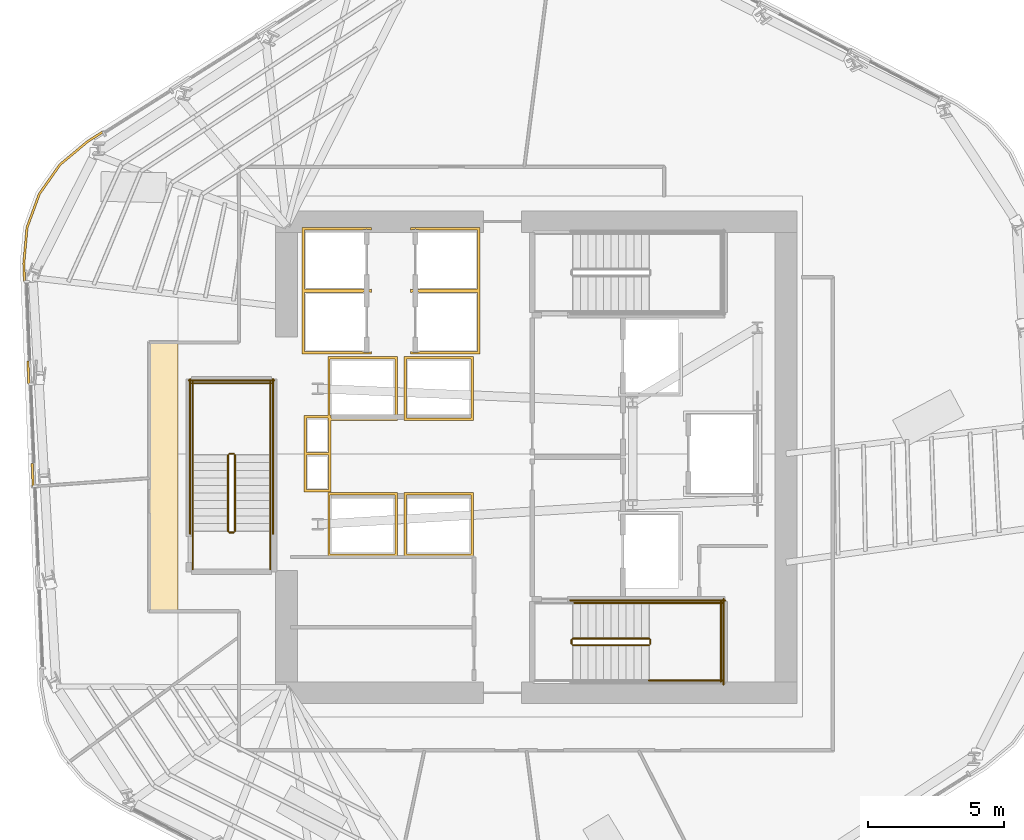
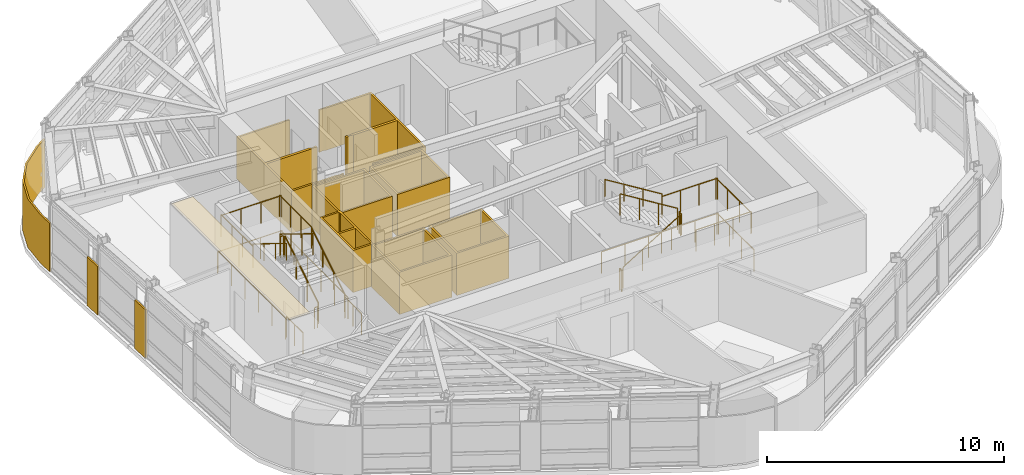
# One storey, part 11 of 15: 24 railings, 10 coverings.
"""IFC4 building model written with IfcOpenShell, lengths in metres."""

from ifc_helpers import new_model, si_unit, direction, frame, origin, origin_2d, place, context, subcontext, project, spatial, polyline, circle, outline, extrude, material, layer, layer_set, type_object, element, save


model = new_model("IFC4")

# Units and contexts
model_context = context("Model", 3, precision=1e-05, world=origin(), true_north=direction((0.0, 1.0)))
body_context = subcontext(model_context, "Body", "Model", "MODEL_VIEW")
ifc_project = project(units=[si_unit("LENGTHUNIT", "METRE"), si_unit("AREAUNIT", "SQUARE_METRE"), si_unit("VOLUMEUNIT", "CUBIC_METRE"), si_unit("PLANEANGLEUNIT", "RADIAN"), si_unit("MASSUNIT", "GRAM", prefix="KILO")], contexts=[model_context])

# Site, building, storey
site_placement = place(None, origin())
site = spatial("IfcSite", under=ifc_project, at=site_placement, CompositionType="ELEMENT")
building_placement = place(site_placement, origin())
building = spatial("IfcBuilding", under=site, at=building_placement, Name="Valkerne Bourse Tower", CompositionType="ELEMENT")
storey_placement = place(building_placement, frame((0.0, 0.0, 162.800048828125)))
storey = spatial("IfcBuildingStorey", under=building, at=storey_placement, Name="L41", CompositionType="ELEMENT", Elevation=162.800048828125)

# Coverings
ifc_material_1 = material(Name="Bronze Anodised Aluminium AA 6063-T6", Category="aluminium")
ifc_layer_1 = layer(ifc_material_1, 0.030029296875)
ifc_layer_set_1 = layer_set([ifc_layer_1], Name="Bronze Anodised Aluminium AA 6063-T6")
covering_type_1 = type_object("IfcCoveringType", Name="COV-CEIL-METAL", PredefinedType="CEILING", material=ifc_layer_set_1)
covering_1_placement = place(storey_placement, frame((0.0, 0.0, 3.22998046875)))
element("IfcCovering", 1, at=covering_1_placement, inside=storey, type_object=covering_type_1, Name="L41 Suspended Ceiling 02", PredefinedType="CEILING", context=body_context, shape_type="SweptSolid", body=[
    extrude(outline(polyline([(32.553955078125, 21.2041015625), (32.553955078125, 31.095947265625), (33.60009765625, 31.095947265625), (33.60009765625, 21.2041015625), (32.553955078125, 21.2041015625)])), origin(), (0.0, 0.0, 1.0), 0.02490234375),
])
ifc_layer_2 = layer(ifc_material_1, 0.06005859375)
ifc_layer_set_2 = layer_set([ifc_layer_2], Name="Bronze Anodised Aluminium AA 6063-T6")
covering_type_2 = type_object("IfcCoveringType", Name="COV-CRN-ALUM", PredefinedType="CLADDING", material=ifc_layer_set_2)
covering_2_placement = place(storey_placement, origin())
element("IfcCovering", 2, at=covering_2_placement, inside=storey, type_object=covering_type_2, Name="L41 Wind-Shaped Corner Aluminium Cladding 11", PredefinedType="CLADDING", context=body_context, shape_type="SweptSolid", body=[
    extrude(outline(polyline([(28.192626953125, 26.640380859375), (28.2724609375, 26.643798828125), (28.3076171875, 25.804443359375), (28.227783203125, 25.80126953125), (28.192626953125, 26.640380859375)])), origin(), (0.0, 0.0, 1.0), 2.5),
])
covering_3_placement = place(storey_placement, origin())
element("IfcCovering", 3, at=covering_3_placement, inside=storey, type_object=covering_type_2, Name="L41 Wind-Shaped Corner Aluminium Cladding 12", PredefinedType="CLADDING", context=body_context, shape_type="SweptSolid", body=[
    extrude(outline(polyline([(28.03466796875, 30.408203125), (28.114501953125, 30.41162109375), (28.14990234375, 29.572265625), (28.06982421875, 29.56884765625), (28.03466796875, 30.408203125)])), origin(), (0.0, 0.0, 1.0), 2.5),
])
covering_4_placement = place(storey_placement, origin())
element("IfcCovering", 4, at=covering_4_placement, inside=storey, type_object=covering_type_2, Name="L41 Wind-Shaped Corner Aluminium Cladding 13", PredefinedType="CLADDING", context=body_context, shape_type="SweptSolid", body=[
    extrude(outline(polyline([(27.8837890625, 34.005126953125), (28.002685546875, 35.337646484375), (28.460205078125, 36.587890625), (29.2255859375, 37.6767578125), (30.251953125, 38.534912109375), (30.81689453125, 38.8935546875), (30.85986328125, 38.825927734375), (30.29931640625, 38.47021484375), (29.28515625, 37.622314453125), (28.53173828125, 36.55029296875), (28.08154296875, 35.320068359375), (27.964111328125, 34.00341796875), (27.99169921875, 33.33984375), (27.911865234375, 33.336669921875), (27.8837890625, 34.005126953125)])), origin(), (0.0, 0.0, 1.0), 2.5),
])
ifc_material_2 = material(Name="Gypsum Shaftwall Liner Board", Category="gypsum")
ifc_layer_3 = layer(ifc_material_2, 0.080078125)
ifc_layer_set_3 = layer_set([ifc_layer_3], Name="Gypsum Shaftwall Liner Board")
covering_type_3 = type_object("IfcCoveringType", Name="COV-SHF-CLAD", PredefinedType="CLADDING", material=ifc_layer_set_3)
covering_5_placement = place(storey_placement, origin())
element("IfcCovering", 5, at=covering_5_placement, inside=storey, type_object=covering_type_3, Name="L41 Hoistway & Riser Shaftwall Liner 01", PredefinedType="CLADDING", context=body_context, shape_type="SweptSolid", body=[
    extrude(outline(polyline([(41.679931640625, 25.580078125), (41.679931640625, 23.219970703125), (39.1201171875, 23.219970703125), (39.1201171875, 25.580078125), (41.679931640625, 25.580078125)]), holes=[polyline([(41.590087890625, 25.489990234375), (39.2099609375, 25.489990234375), (39.2099609375, 23.31005859375), (41.590087890625, 23.31005859375), (41.590087890625, 25.489990234375)])]), origin(), (0.0, 0.0, 1.0), 2.179931640625),
])
covering_6_placement = place(storey_placement, origin())
element("IfcCovering", 6, at=covering_6_placement, inside=storey, type_object=covering_type_3, Name="L41 Hoistway & Riser Shaftwall Liner 02", PredefinedType="CLADDING", context=body_context, shape_type="SweptSolid", body=[
    extrude(outline(polyline([(44.47998046875, 23.219970703125), (41.919921875, 23.219970703125), (41.919921875, 25.580078125), (44.47998046875, 25.580078125), (44.47998046875, 23.219970703125)]), holes=[polyline([(42.010009765625, 25.489990234375), (42.010009765625, 23.31005859375), (44.389892578125, 23.31005859375), (44.389892578125, 25.489990234375), (42.010009765625, 25.489990234375)])]), origin(), (0.0, 0.0, 1.0), 2.179931640625),
])
covering_7_placement = place(storey_placement, origin())
element("IfcCovering", 7, at=covering_7_placement, inside=storey, type_object=covering_type_3, Name="L41 Hoistway & Riser Shaftwall Liner 03", PredefinedType="CLADDING", context=body_context, shape_type="SweptSolid", body=[
    extrude(outline(polyline([(38.239990234375, 28.409912109375), (39.1201171875, 28.409912109375), (39.1201171875, 30.580078125), (41.679931640625, 30.580078125), (41.679931640625, 28.219970703125), (39.239990234375, 28.219970703125), (39.239990234375, 27.0400390625), (39.239990234375, 26.9599609375), (39.239990234375, 25.590087890625), (38.239990234375, 25.590087890625), (38.239990234375, 26.9599609375), (38.239990234375, 27.0400390625), (38.239990234375, 28.409912109375)]), holes=[polyline([(38.330078125, 26.949951171875), (38.330078125, 25.679931640625), (39.14990234375, 25.679931640625), (39.14990234375, 26.949951171875), (38.330078125, 26.949951171875)]), polyline([(39.2099609375, 30.489990234375), (39.2099609375, 28.409912109375), (39.239990234375, 28.409912109375), (39.239990234375, 28.31005859375), (41.590087890625, 28.31005859375), (41.590087890625, 30.489990234375), (39.2099609375, 30.489990234375)]), polyline([(38.330078125, 27.050048828125), (39.14990234375, 27.050048828125), (39.14990234375, 28.219970703125), (39.1201171875, 28.219970703125), (39.1201171875, 28.320068359375), (38.330078125, 28.320068359375), (38.330078125, 27.050048828125)])]), origin(), (0.0, 0.0, 1.0), 2.179931640625),
])
covering_8_placement = place(storey_placement, origin())
element("IfcCovering", 8, at=covering_8_placement, inside=storey, type_object=covering_type_3, Name="L41 Hoistway & Riser Shaftwall Liner 04", PredefinedType="CLADDING", context=body_context, shape_type="SweptSolid", body=[
    extrude(outline(polyline([(38.169921875, 35.330078125), (40.72998046875, 35.330078125), (40.72998046875, 35.232177734375), (40.72216796875, 35.235595703125), (40.6806640625, 35.25048828125), (40.6376953125, 35.261474609375), (40.593994140625, 35.267822265625), (40.550048828125, 35.27001953125), (40.505859375, 35.267822265625), (40.462158203125, 35.261474609375), (40.41943359375, 35.25048828125), (40.3896484375, 35.239990234375), (38.260009765625, 35.239990234375), (38.260009765625, 33.06005859375), (40.3896484375, 33.06005859375), (40.41943359375, 33.04931640625), (40.462158203125, 33.03857421875), (40.505859375, 33.0322265625), (40.550048828125, 33.030029296875), (40.593994140625, 33.0322265625), (40.6376953125, 33.03857421875), (40.6806640625, 33.04931640625), (40.72216796875, 33.064208984375), (40.72998046875, 33.06787109375), (40.72998046875, 33.030029296875), (40.72998046875, 32.969970703125), (40.72998046875, 32.93212890625), (40.72216796875, 32.935791015625), (40.6806640625, 32.95068359375), (40.6376953125, 32.96142578125), (40.593994140625, 32.9677734375), (40.550048828125, 32.969970703125), (40.505859375, 32.9677734375), (40.462158203125, 32.96142578125), (40.41943359375, 32.95068359375), (40.3896484375, 32.93994140625), (38.260009765625, 32.93994140625), (38.260009765625, 30.760009765625), (40.3896484375, 30.760009765625), (40.41943359375, 30.74951171875), (40.462158203125, 30.738525390625), (40.505859375, 30.732177734375), (40.550048828125, 30.72998046875), (40.593994140625, 30.732177734375), (40.6376953125, 30.738525390625), (40.6806640625, 30.74951171875), (40.72216796875, 30.764404296875), (40.72998046875, 30.767822265625), (40.72998046875, 30.669921875), (38.169921875, 30.669921875), (38.169921875, 32.969970703125), (38.169921875, 33.030029296875), (38.169921875, 35.330078125)])), origin(), (0.0, 0.0, 1.0), 2.179931640625),
])
covering_9_placement = place(storey_placement, origin())
element("IfcCovering", 9, at=covering_9_placement, inside=storey, type_object=covering_type_3, Name="L41 Hoistway & Riser Shaftwall Liner 07", PredefinedType="CLADDING", context=body_context, shape_type="SweptSolid", body=[
    extrude(outline(polyline([(44.47998046875, 28.219970703125), (41.919921875, 28.219970703125), (41.919921875, 30.580078125), (44.47998046875, 30.580078125), (44.47998046875, 28.219970703125)]), holes=[polyline([(42.010009765625, 30.489990234375), (42.010009765625, 28.31005859375), (44.389892578125, 28.31005859375), (44.389892578125, 30.489990234375), (42.010009765625, 30.489990234375)])]), origin(), (0.0, 0.0, 1.0), 2.179931640625),
])
covering_10_placement = place(storey_placement, origin())
element("IfcCovering", 10, at=covering_10_placement, inside=storey, type_object=covering_type_3, Name="L41 Hoistway & Riser Shaftwall Liner 09", PredefinedType="CLADDING", context=body_context, shape_type="SweptSolid", body=[
    extrude(outline(polyline([(42.169921875, 33.06787109375), (42.177734375, 33.064208984375), (42.219482421875, 33.04931640625), (42.26220703125, 33.03857421875), (42.305908203125, 33.0322265625), (42.35009765625, 33.030029296875), (42.39404296875, 33.0322265625), (42.437744140625, 33.03857421875), (42.480712890625, 33.04931640625), (42.51025390625, 33.06005859375), (44.639892578125, 33.06005859375), (44.639892578125, 35.239990234375), (42.51025390625, 35.239990234375), (42.480712890625, 35.25048828125), (42.437744140625, 35.261474609375), (42.39404296875, 35.267822265625), (42.35009765625, 35.27001953125), (42.305908203125, 35.267822265625), (42.26220703125, 35.261474609375), (42.219482421875, 35.25048828125), (42.177734375, 35.235595703125), (42.169921875, 35.232177734375), (42.169921875, 35.330078125), (44.72998046875, 35.330078125), (44.72998046875, 33.030029296875), (44.72998046875, 32.969970703125), (44.72998046875, 30.669921875), (42.169921875, 30.669921875), (42.169921875, 30.767822265625), (42.177734375, 30.764404296875), (42.219482421875, 30.74951171875), (42.26220703125, 30.738525390625), (42.305908203125, 30.732177734375), (42.35009765625, 30.72998046875), (42.39404296875, 30.732177734375), (42.437744140625, 30.738525390625), (42.480712890625, 30.74951171875), (42.51025390625, 30.760009765625), (44.639892578125, 30.760009765625), (44.639892578125, 32.93994140625), (42.51025390625, 32.93994140625), (42.480712890625, 32.95068359375), (42.437744140625, 32.96142578125), (42.39404296875, 32.9677734375), (42.35009765625, 32.969970703125), (42.305908203125, 32.9677734375), (42.26220703125, 32.96142578125), (42.219482421875, 32.95068359375), (42.177734375, 32.935791015625), (42.169921875, 32.93212890625), (42.169921875, 32.969970703125), (42.169921875, 33.030029296875), (42.169921875, 33.06787109375)])), origin(), (0.0, 0.0, 1.0), 2.179931640625),
])

# Railings
ifc_material_3 = material(Name="Galvanised Painted Steel", Category="steel")
railing_type_1 = type_object("IfcRailingType", Name="RLG-ST-GUARD-1120", PredefinedType="GUARDRAIL", material=ifc_material_3)
railing_1_placement = place(storey_placement, frame((48.14990234375, 19.949951171875, 0.172607421875)))
element("IfcRailing", 11, at=railing_1_placement, inside=storey, type_object=railing_type_1, Name="L41 ST-1 stair guard 1", PredefinedType="GUARDRAIL", context=body_context, shape_type="SweptSolid", body=[
    extrude(circle(Radius=0.02392578125, at=origin_2d()), frame((0.0, 0.0, 1.09619140625), z_axis=(0.851089632645, 0.0, 0.525020415988), x_axis=(0.0, 1.0, 0.0)), (0.0, 0.0, 1.0), 3.2900390625),
    extrude(circle(Radius=0.02099609375, at=origin_2d()), origin(), (0.0, 0.0, 1.0), 1.072021484375),
    extrude(circle(Radius=0.02099609375, at=origin_2d()), frame((0.933349609375, 0.0, 0.57568359375)), (0.0, 0.0, 1.0), 1.072021484375),
    extrude(circle(Radius=0.02099609375, at=origin_2d()), frame((1.86669921875, 0.0, 1.151611328125)), (0.0, 0.0, 1.0), 1.072021484375),
    extrude(circle(Radius=0.02099609375, at=origin_2d()), frame((2.800048828125, 0.0, 1.727294921875)), (0.0, 0.0, 1.0), 1.072021484375),
])
railing_2_placement = place(storey_placement, frame((51.0, 20.0, 1.89990234375)))
element("IfcRailing", 12, at=railing_2_placement, inside=storey, type_object=railing_type_1, Name="L41 ST-1 stair guard 2", PredefinedType="GUARDRAIL", context=body_context, shape_type="SweptSolid", body=[
    extrude(circle(Radius=0.02392578125, at=origin_2d()), frame((0.0, 0.0, 1.09619140625), z_axis=(0.0, 1.0, 0.0), x_axis=(-1.0, 0.0, 0.0)), (0.0, 0.0, 1.0), 0.14990234375),
    extrude(circle(Radius=0.02099609375, at=origin_2d()), origin(), (0.0, 0.0, 1.0), 1.072021484375),
    extrude(circle(Radius=0.02099609375, at=origin_2d()), frame((0.0, 0.14990234375, 0.0)), (0.0, 0.0, 1.0), 1.072021484375),
])
for number, where, name in (
    (13, (50.949951171875, 18.64990234375, 1.89990234375), "L41 ST-1 stair guard 3"),
    (14, (50.949951171875, 21.5, 1.89990234375), "L41 ST-1 stair guard 4"),
):
    element("IfcRailing", number, at=place(storey_placement, frame(where)), inside=storey, type_object=railing_type_1, Name=name, PredefinedType="GUARDRAIL", context=body_context, shape_type="SweptSolid", body=[
        extrude(circle(Radius=0.02392578125, at=origin_2d()), frame((0.0, 0.0, 1.09619140625), z_axis=(1.0, 0.0, 0.0), x_axis=(0.0, 1.0, 0.0)), (0.0, 0.0, 1.0), 2.699951171875),
        extrude(circle(Radius=0.02099609375, at=origin_2d()), origin(), (0.0, 0.0, 1.0), 1.072021484375),
        extrude(circle(Radius=0.02099609375, at=origin_2d()), frame((0.89990234375, 0.0, 0.0)), (0.0, 0.0, 1.0), 1.072021484375),
        extrude(circle(Radius=0.02099609375, at=origin_2d()), frame((1.800048828125, 0.0, 0.0)), (0.0, 0.0, 1.0), 1.072021484375),
        extrude(circle(Radius=0.02099609375, at=origin_2d()), frame((2.699951171875, 0.0, 0.0)), (0.0, 0.0, 1.0), 1.072021484375),
    ])
railing_3_placement = place(storey_placement, frame((53.60009765625, 18.60009765625, 1.89990234375)))
element("IfcRailing", 15, at=railing_3_placement, inside=storey, type_object=railing_type_1, Name="L41 ST-1 stair guard 5", PredefinedType="GUARDRAIL", context=body_context, shape_type="SweptSolid", body=[
    extrude(circle(Radius=0.02392578125, at=origin_2d()), frame((0.0, 0.0, 1.09619140625), z_axis=(0.0, 1.0, 0.0), x_axis=(-1.0, 0.0, 0.0)), (0.0, 0.0, 1.0), 2.949951171875),
    extrude(circle(Radius=0.02099609375, at=origin_2d()), origin(), (0.0, 0.0, 1.0), 1.072021484375),
    extrude(circle(Radius=0.02099609375, at=origin_2d()), frame((0.0, 0.9833984375, 0.0)), (0.0, 0.0, 1.0), 1.072021484375),
    extrude(circle(Radius=0.02099609375, at=origin_2d()), frame((0.0, 1.966552734375, 0.0)), (0.0, 0.0, 1.0), 1.072021484375),
    extrude(circle(Radius=0.02099609375, at=origin_2d()), frame((0.0, 2.949951171875, 0.0)), (0.0, 0.0, 1.0), 1.072021484375),
])
railing_4_placement = place(storey_placement, frame((50.949951171875, 20.199951171875, 2.07275390625)))
element("IfcRailing", 16, at=railing_4_placement, inside=storey, type_object=railing_type_1, Name="L41 ST-1 stair guard 6", PredefinedType="GUARDRAIL", context=body_context, shape_type="SweptSolid", body=[
    extrude(circle(Radius=0.02392578125, at=origin_2d()), frame((0.0, 0.0, 1.09619140625), z_axis=(-0.851089632645, 0.0, 0.525020415988), x_axis=(0.0, -1.0, 0.0)), (0.0, 0.0, 1.0), 3.2900390625),
    extrude(circle(Radius=0.02099609375, at=origin_2d()), origin(), (0.0, 0.0, 1.0), 1.072021484375),
    extrude(circle(Radius=0.02099609375, at=origin_2d()), frame((-0.933349609375, 0.0, 0.57568359375)), (0.0, 0.0, 1.0), 1.072021484375),
    extrude(circle(Radius=0.02099609375, at=origin_2d()), frame((-1.86669921875, 0.0, 1.151611328125)), (0.0, 0.0, 1.0), 1.072021484375),
    extrude(circle(Radius=0.02099609375, at=origin_2d()), frame((-2.800048828125, 0.0, 1.727294921875)), (0.0, 0.0, 1.0), 1.072021484375),
])
railing_5_placement = place(storey_placement, frame((48.10009765625, 20.0, 0.0)))
element("IfcRailing", 17, at=railing_5_placement, inside=storey, type_object=railing_type_1, Name="L41 ST-1 stair guard 7", PredefinedType="GUARDRAIL", context=body_context, shape_type="SweptSolid", body=[
    extrude(circle(Radius=0.02392578125, at=origin_2d()), frame((0.0, 0.0, 1.09619140625), z_axis=(0.0, 1.0, 0.0), x_axis=(-1.0, 0.0, 0.0)), (0.0, 0.0, 1.0), 0.14990234375),
    extrude(circle(Radius=0.02099609375, at=origin_2d()), origin(), (0.0, 0.0, 1.0), 1.072021484375),
    extrude(circle(Radius=0.02099609375, at=origin_2d()), frame((0.0, 0.14990234375, 0.0)), (0.0, 0.0, 1.0), 1.072021484375),
])
railing_6_placement = place(storey_placement, frame((48.050048828125, 21.60009765625, 0.0)))
element("IfcRailing", 18, at=railing_6_placement, inside=storey, type_object=railing_type_1, Name="L41 ST-1 stair guard 11", PredefinedType="GUARDRAIL", context=body_context, shape_type="SweptSolid", body=[
    extrude(circle(Radius=0.02392578125, at=origin_2d()), frame((0.0, 0.0, 1.09619140625), z_axis=(1.0, 0.0, 0.0), x_axis=(0.0, 1.0, 0.0)), (0.0, 0.0, 1.0), 5.699951171875),
    extrude(circle(Radius=0.02099609375, at=origin_2d()), origin(), (0.0, 0.0, 1.0), 1.072021484375),
    extrude(circle(Radius=0.02099609375, at=origin_2d()), frame((1.139892578125, 0.0, 0.0)), (0.0, 0.0, 1.0), 1.072021484375),
    extrude(circle(Radius=0.02099609375, at=origin_2d()), frame((2.280029296875, 0.0, 0.0)), (0.0, 0.0, 1.0), 1.072021484375),
    extrude(circle(Radius=0.02099609375, at=origin_2d()), frame((3.419921875, 0.0, 0.0)), (0.0, 0.0, 1.0), 1.072021484375),
    extrude(circle(Radius=0.02099609375, at=origin_2d()), frame((4.56005859375, 0.0, 0.0)), (0.0, 0.0, 1.0), 1.072021484375),
    extrude(circle(Radius=0.02099609375, at=origin_2d()), frame((5.699951171875, 0.0, 0.0)), (0.0, 0.0, 1.0), 1.072021484375),
])
railing_7_placement = place(storey_placement, frame((53.699951171875, 18.5, 0.0)))
element("IfcRailing", 19, at=railing_7_placement, inside=storey, type_object=railing_type_1, Name="L41 ST-1 stair guard 12", PredefinedType="GUARDRAIL", context=body_context, shape_type="SweptSolid", body=[
    extrude(circle(Radius=0.02392578125, at=origin_2d()), frame((0.0, 0.0, 1.09619140625), z_axis=(0.0, 1.0, 0.0), x_axis=(-1.0, 0.0, 0.0)), (0.0, 0.0, 1.0), 3.14990234375),
    extrude(circle(Radius=0.02099609375, at=origin_2d()), origin(), (0.0, 0.0, 1.0), 1.072021484375),
    extrude(circle(Radius=0.02099609375, at=origin_2d()), frame((0.0, 1.050048828125, 0.0)), (0.0, 0.0, 1.0), 1.072021484375),
    extrude(circle(Radius=0.02099609375, at=origin_2d()), frame((0.0, 2.099853515625, 0.0)), (0.0, 0.0, 1.0), 1.072021484375),
    extrude(circle(Radius=0.02099609375, at=origin_2d()), frame((0.0, 3.14990234375, 0.0)), (0.0, 0.0, 1.0), 1.072021484375),
])
railing_8_placement = place(storey_placement, frame((35.699951171875, 24.14990234375, 0.172607421875)))
element("IfcRailing", 20, at=railing_8_placement, inside=storey, type_object=railing_type_1, Name="L41 ST-3 stair guard 1", PredefinedType="GUARDRAIL", context=body_context, shape_type="SweptSolid", body=[
    extrude(circle(Radius=0.02392578125, at=origin_2d()), frame((0.0, 0.0, 1.09619140625), z_axis=(0.0, 0.851089632645, 0.525020415988), x_axis=(-1.0, 0.0, 0.0)), (0.0, 0.0, 1.0), 3.2900390625),
    extrude(circle(Radius=0.02099609375, at=origin_2d()), origin(), (0.0, 0.0, 1.0), 1.072021484375),
    extrude(circle(Radius=0.02099609375, at=origin_2d()), frame((0.0, 0.933349609375, 0.57568359375)), (0.0, 0.0, 1.0), 1.072021484375),
    extrude(circle(Radius=0.02099609375, at=origin_2d()), frame((0.0, 1.86669921875, 1.151611328125)), (0.0, 0.0, 1.0), 1.072021484375),
    extrude(circle(Radius=0.02099609375, at=origin_2d()), frame((0.0, 2.800048828125, 1.727294921875)), (0.0, 0.0, 1.0), 1.072021484375),
])
railing_9_placement = place(storey_placement, frame((35.64990234375, 27.0, 1.89990234375)))
element("IfcRailing", 21, at=railing_9_placement, inside=storey, type_object=railing_type_1, Name="L41 ST-3 stair guard 2", PredefinedType="GUARDRAIL", context=body_context, shape_type="SweptSolid", body=[
    extrude(circle(Radius=0.02392578125, at=origin_2d()), frame((0.0, 0.0, 1.09619140625), z_axis=(-1.0, 0.0, 0.0), x_axis=(0.0, -1.0, 0.0)), (0.0, 0.0, 1.0), 0.14990234375),
    extrude(circle(Radius=0.02099609375, at=origin_2d()), origin(), (0.0, 0.0, 1.0), 1.072021484375),
    extrude(circle(Radius=0.02099609375, at=origin_2d()), frame((-0.14990234375, 0.0, 0.0)), (0.0, 0.0, 1.0), 1.072021484375),
])
for number, where, name in (
    (22, (37.0, 26.949951171875, 1.89990234375), "L41 ST-3 stair guard 3"),
    (23, (34.14990234375, 26.949951171875, 1.89990234375), "L41 ST-3 stair guard 4"),
):
    element("IfcRailing", number, at=place(storey_placement, frame(where)), inside=storey, type_object=railing_type_1, Name=name, PredefinedType="GUARDRAIL", context=body_context, shape_type="SweptSolid", body=[
        extrude(circle(Radius=0.02392578125, at=origin_2d()), frame((0.0, 0.0, 1.09619140625), z_axis=(0.0, 1.0, 0.0), x_axis=(-1.0, 0.0, 0.0)), (0.0, 0.0, 1.0), 2.699951171875),
        extrude(circle(Radius=0.02099609375, at=origin_2d()), origin(), (0.0, 0.0, 1.0), 1.072021484375),
        extrude(circle(Radius=0.02099609375, at=origin_2d()), frame((0.0, 0.89990234375, 0.0)), (0.0, 0.0, 1.0), 1.072021484375),
        extrude(circle(Radius=0.02099609375, at=origin_2d()), frame((0.0, 1.800048828125, 0.0)), (0.0, 0.0, 1.0), 1.072021484375),
        extrude(circle(Radius=0.02099609375, at=origin_2d()), frame((0.0, 2.699951171875, 0.0)), (0.0, 0.0, 1.0), 1.072021484375),
    ])
railing_10_placement = place(storey_placement, frame((37.050048828125, 29.60009765625, 1.89990234375)))
element("IfcRailing", 24, at=railing_10_placement, inside=storey, type_object=railing_type_1, Name="L41 ST-3 stair guard 5", PredefinedType="GUARDRAIL", context=body_context, shape_type="SweptSolid", body=[
    extrude(circle(Radius=0.02392578125, at=origin_2d()), frame((0.0, 0.0, 1.09619140625), z_axis=(-1.0, 0.0, 0.0), x_axis=(0.0, -1.0, 0.0)), (0.0, 0.0, 1.0), 2.949951171875),
    extrude(circle(Radius=0.02099609375, at=origin_2d()), origin(), (0.0, 0.0, 1.0), 1.072021484375),
    extrude(circle(Radius=0.02099609375, at=origin_2d()), frame((-0.9833984375, 0.0, 0.0)), (0.0, 0.0, 1.0), 1.072021484375),
    extrude(circle(Radius=0.02099609375, at=origin_2d()), frame((-1.966552734375, 0.0, 0.0)), (0.0, 0.0, 1.0), 1.072021484375),
    extrude(circle(Radius=0.02099609375, at=origin_2d()), frame((-2.949951171875, 0.0, 0.0)), (0.0, 0.0, 1.0), 1.072021484375),
])
railing_11_placement = place(storey_placement, frame((35.449951171875, 26.949951171875, 2.07275390625)))
element("IfcRailing", 25, at=railing_11_placement, inside=storey, type_object=railing_type_1, Name="L41 ST-3 stair guard 6", PredefinedType="GUARDRAIL", context=body_context, shape_type="SweptSolid", body=[
    extrude(circle(Radius=0.02392578125, at=origin_2d()), frame((0.0, 0.0, 1.09619140625), z_axis=(0.0, -0.851089632645, 0.525020415988), x_axis=(1.0, 0.0, 0.0)), (0.0, 0.0, 1.0), 3.2900390625),
    extrude(circle(Radius=0.02099609375, at=origin_2d()), origin(), (0.0, 0.0, 1.0), 1.072021484375),
    extrude(circle(Radius=0.02099609375, at=origin_2d()), frame((0.0, -0.933349609375, 0.57568359375)), (0.0, 0.0, 1.0), 1.072021484375),
    extrude(circle(Radius=0.02099609375, at=origin_2d()), frame((0.0, -1.86669921875, 1.151611328125)), (0.0, 0.0, 1.0), 1.072021484375),
    extrude(circle(Radius=0.02099609375, at=origin_2d()), frame((0.0, -2.800048828125, 1.727294921875)), (0.0, 0.0, 1.0), 1.072021484375),
])
railing_12_placement = place(storey_placement, frame((35.64990234375, 24.10009765625, 0.0)))
element("IfcRailing", 26, at=railing_12_placement, inside=storey, type_object=railing_type_1, Name="L41 ST-3 stair guard 7", PredefinedType="GUARDRAIL", context=body_context, shape_type="SweptSolid", body=[
    extrude(circle(Radius=0.02392578125, at=origin_2d()), frame((0.0, 0.0, 1.09619140625), z_axis=(-1.0, 0.0, 0.0), x_axis=(0.0, -1.0, 0.0)), (0.0, 0.0, 1.0), 0.14990234375),
    extrude(circle(Radius=0.02099609375, at=origin_2d()), origin(), (0.0, 0.0, 1.0), 1.072021484375),
    extrude(circle(Radius=0.02099609375, at=origin_2d()), frame((-0.14990234375, 0.0, 0.0)), (0.0, 0.0, 1.0), 1.072021484375),
])
for number, where, name in (
    (27, (37.0, 22.75, 0.0), "L41 ST-3 stair guard 8"),
    (28, (34.14990234375, 22.75, 0.0), "L41 ST-3 stair guard 9"),
):
    element("IfcRailing", number, at=place(storey_placement, frame(where)), inside=storey, type_object=railing_type_1, Name=name, PredefinedType="GUARDRAIL", context=body_context, shape_type="SweptSolid", body=[
        extrude(circle(Radius=0.02392578125, at=origin_2d()), frame((0.0, 0.0, 1.09619140625), z_axis=(0.0, 1.0, 0.0), x_axis=(-1.0, 0.0, 0.0)), (0.0, 0.0, 1.0), 1.39990234375),
        extrude(circle(Radius=0.02099609375, at=origin_2d()), origin(), (0.0, 0.0, 1.0), 1.072021484375),
        extrude(circle(Radius=0.02099609375, at=origin_2d()), frame((0.0, 0.699951171875, 0.0)), (0.0, 0.0, 1.0), 1.072021484375),
        extrude(circle(Radius=0.02099609375, at=origin_2d()), frame((0.0, 1.39990234375, 0.0)), (0.0, 0.0, 1.0), 1.072021484375),
    ])
for number, where, name in (
    (29, (37.10009765625, 24.050048828125, 0.0), "L41 ST-3 stair guard 10"),
    (30, (34.050048828125, 24.050048828125, 0.0), "L41 ST-3 stair guard 11"),
):
    element("IfcRailing", number, at=place(storey_placement, frame(where)), inside=storey, type_object=railing_type_1, Name=name, PredefinedType="GUARDRAIL", context=body_context, shape_type="SweptSolid", body=[
        extrude(circle(Radius=0.02392578125, at=origin_2d()), frame((0.0, 0.0, 1.09619140625), z_axis=(0.0, 1.0, 0.0), x_axis=(-1.0, 0.0, 0.0)), (0.0, 0.0, 1.0), 5.699951171875),
        extrude(circle(Radius=0.02099609375, at=origin_2d()), origin(), (0.0, 0.0, 1.0), 1.072021484375),
        extrude(circle(Radius=0.02099609375, at=origin_2d()), frame((0.0, 1.139892578125, 0.0)), (0.0, 0.0, 1.0), 1.072021484375),
        extrude(circle(Radius=0.02099609375, at=origin_2d()), frame((0.0, 2.280029296875, 0.0)), (0.0, 0.0, 1.0), 1.072021484375),
        extrude(circle(Radius=0.02099609375, at=origin_2d()), frame((0.0, 3.419921875, 0.0)), (0.0, 0.0, 1.0), 1.072021484375),
        extrude(circle(Radius=0.02099609375, at=origin_2d()), frame((0.0, 4.56005859375, 0.0)), (0.0, 0.0, 1.0), 1.072021484375),
        extrude(circle(Radius=0.02099609375, at=origin_2d()), frame((0.0, 5.699951171875, 0.0)), (0.0, 0.0, 1.0), 1.072021484375),
    ])
railing_13_placement = place(storey_placement, frame((37.14990234375, 29.699951171875, 0.0)))
element("IfcRailing", 31, at=railing_13_placement, inside=storey, type_object=railing_type_1, Name="L41 ST-3 stair guard 12", PredefinedType="GUARDRAIL", context=body_context, shape_type="SweptSolid", body=[
    extrude(circle(Radius=0.02392578125, at=origin_2d()), frame((0.0, 0.0, 1.09619140625), z_axis=(-1.0, 0.0, 0.0), x_axis=(0.0, -1.0, 0.0)), (0.0, 0.0, 1.0), 3.14990234375),
    extrude(circle(Radius=0.02099609375, at=origin_2d()), origin(), (0.0, 0.0, 1.0), 1.072021484375),
    extrude(circle(Radius=0.02099609375, at=origin_2d()), frame((-1.050048828125, 0.0, 0.0)), (0.0, 0.0, 1.0), 1.072021484375),
    extrude(circle(Radius=0.02099609375, at=origin_2d()), frame((-2.099853515625, 0.0, 0.0)), (0.0, 0.0, 1.0), 1.072021484375),
    extrude(circle(Radius=0.02099609375, at=origin_2d()), frame((-3.14990234375, 0.0, 0.0)), (0.0, 0.0, 1.0), 1.072021484375),
])
ifc_material_4 = material(Name="Stainless Steel AISI 316", Category="steel")
railing_type_2 = type_object("IfcRailingType", Name="RLG-ST-HANDRAIL-900", PredefinedType="HANDRAIL", material=ifc_material_4)
railing_14_placement = place(storey_placement, frame((50.949951171875, 21.5, 2.245361328125)))
element("IfcRailing", 32, at=railing_14_placement, inside=storey, type_object=railing_type_2, Name="L41 ST-1 stair handrail 2", PredefinedType="HANDRAIL", context=body_context, shape_type="SweptSolid", body=[
    extrude(circle(Radius=0.02392578125, at=origin_2d()), frame((0.0, 0.0, 0.8759765625), z_axis=(-0.851089632645, 0.0, 0.525020415988), x_axis=(0.0, -1.0, 0.0)), (0.0, 0.0, 1.0), 3.2900390625),
    extrude(circle(Radius=0.02099609375, at=origin_2d()), origin(), (0.0, 0.0, 1.0), 0.851806640625),
    extrude(circle(Radius=0.02099609375, at=origin_2d()), frame((-0.933349609375, 0.0, 0.57568359375)), (0.0, 0.0, 1.0), 0.851806640625),
    extrude(circle(Radius=0.02099609375, at=origin_2d()), frame((-1.86669921875, 0.0, 1.151611328125)), (0.0, 0.0, 1.0), 0.851806640625),
    extrude(circle(Radius=0.02099609375, at=origin_2d()), frame((-2.800048828125, 0.0, 1.727294921875)), (0.0, 0.0, 1.0), 0.851806640625),
])
railing_15_placement = place(storey_placement, frame((37.0, 24.14990234375, 0.345458984375)))
element("IfcRailing", 33, at=railing_15_placement, inside=storey, type_object=railing_type_2, Name="L41 ST-3 stair handrail 1", PredefinedType="HANDRAIL", context=body_context, shape_type="SweptSolid", body=[
    extrude(circle(Radius=0.02392578125, at=origin_2d()), frame((0.0, 0.0, 0.8759765625), z_axis=(0.0, 0.851089632645, 0.525020415988), x_axis=(-1.0, 0.0, 0.0)), (0.0, 0.0, 1.0), 3.2900390625),
    extrude(circle(Radius=0.02099609375, at=origin_2d()), origin(), (0.0, 0.0, 1.0), 0.851806640625),
    extrude(circle(Radius=0.02099609375, at=origin_2d()), frame((0.0, 0.933349609375, 0.57568359375)), (0.0, 0.0, 1.0), 0.851806640625),
    extrude(circle(Radius=0.02099609375, at=origin_2d()), frame((0.0, 1.86669921875, 1.151611328125)), (0.0, 0.0, 1.0), 0.851806640625),
    extrude(circle(Radius=0.02099609375, at=origin_2d()), frame((0.0, 2.800048828125, 1.727294921875)), (0.0, 0.0, 1.0), 0.851806640625),
])
railing_16_placement = place(storey_placement, frame((34.14990234375, 26.949951171875, 2.245361328125)))
element("IfcRailing", 34, at=railing_16_placement, inside=storey, type_object=railing_type_2, Name="L41 ST-3 stair handrail 2", PredefinedType="HANDRAIL", context=body_context, shape_type="SweptSolid", body=[
    extrude(circle(Radius=0.02392578125, at=origin_2d()), frame((0.0, 0.0, 0.8759765625), z_axis=(0.0, -0.851089632645, 0.525020415988), x_axis=(1.0, 0.0, 0.0)), (0.0, 0.0, 1.0), 3.2900390625),
    extrude(circle(Radius=0.02099609375, at=origin_2d()), origin(), (0.0, 0.0, 1.0), 0.851806640625),
    extrude(circle(Radius=0.02099609375, at=origin_2d()), frame((0.0, -0.933349609375, 0.57568359375)), (0.0, 0.0, 1.0), 0.851806640625),
    extrude(circle(Radius=0.02099609375, at=origin_2d()), frame((0.0, -1.86669921875, 1.151611328125)), (0.0, 0.0, 1.0), 0.851806640625),
    extrude(circle(Radius=0.02099609375, at=origin_2d()), frame((0.0, -2.800048828125, 1.727294921875)), (0.0, 0.0, 1.0), 0.851806640625),
])

save(model, "model.ifc")
